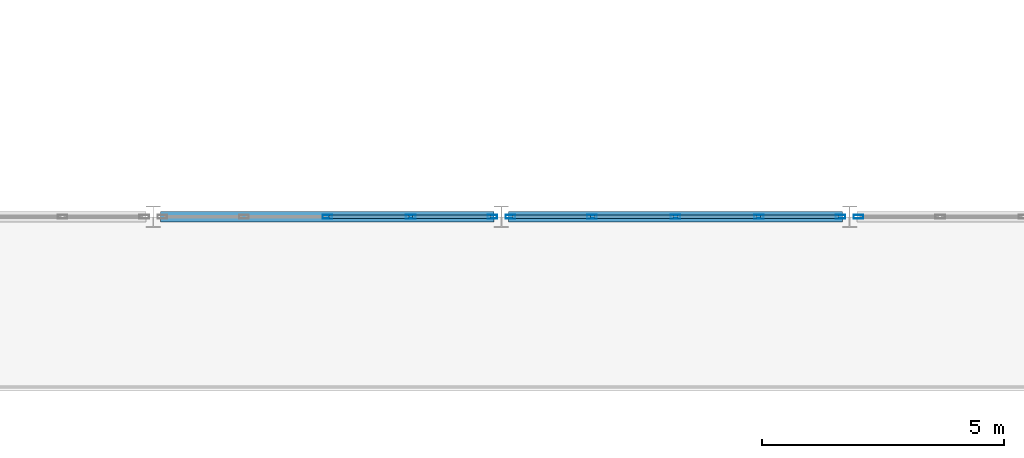
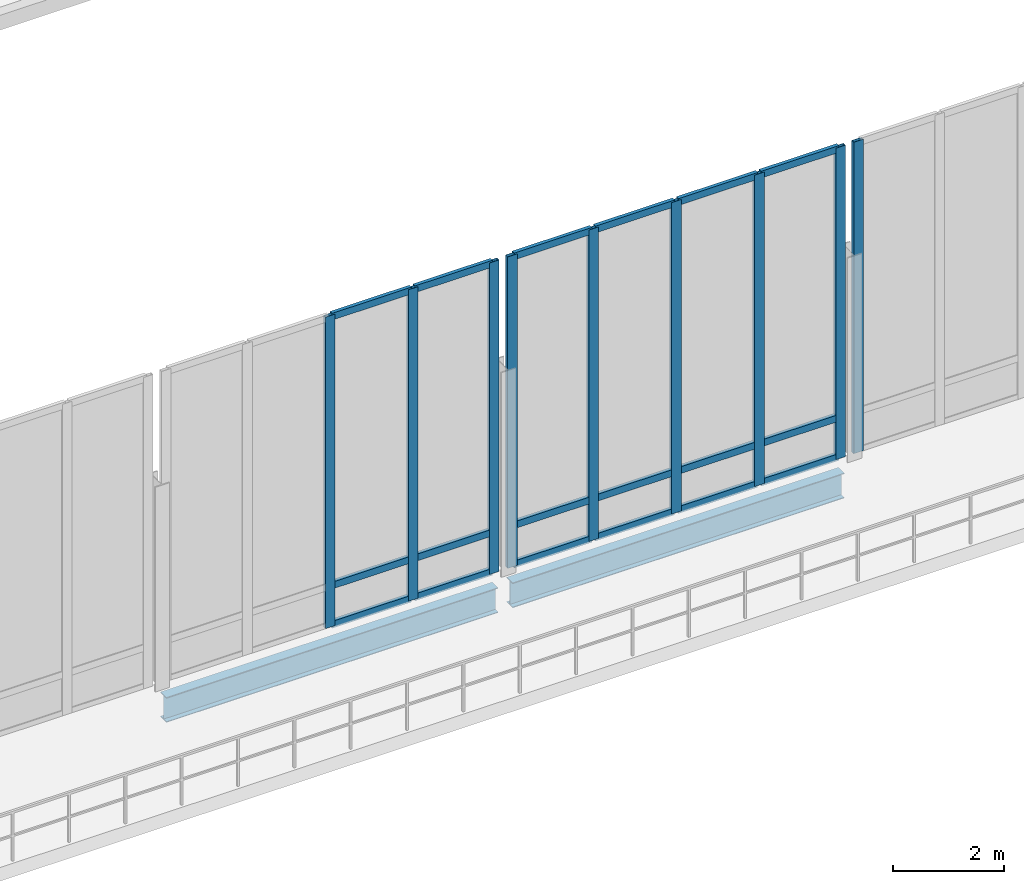
# One storey, part 36 of 110: 27 members, 2 beams, 3 elements without a shape of their own.
"""IFC4 building model written with IfcOpenShell, lengths in metres."""

import ifcopenshell
import ifcopenshell.guid

model = None  # the IFC model being written
_history = None  # IfcOwnerHistory: only IFC2X3 demands one
_inside = {}  # id of a spatial element -> (the spatial element, [elements in it])
_under = {}  # id of a project, library or spatial element -> (it, [spatial elements below it])
_declared = {}  # id of a project -> (the project, [libraries it declares])
_typed = {}  # id of a type object -> (the type object, [elements of that type])
_made_of = {}  # id of a material, layer set ... -> (it, [elements and type objects made of it])


def new_model(schema):
    """Start an empty IFC model of exactly this schema.

    Asked for "IFC4X3", IfcOpenShell would pick the latest addendum, in which some entities
    have other attributes; the version numbers below select the first issue.
    IFC2X3 requires an IfcOwnerHistory on every rooted entity: one is made here for all.
    """
    global model, _history
    if schema == "IFC4X3":
        model = ifcopenshell.file(schema_version=(4, 3, 0, 0))
    else:
        model = ifcopenshell.file(schema=schema)
    _inside.clear()
    _under.clear()
    _declared.clear()
    _typed.clear()
    _made_of.clear()
    _history = None
    if model.schema == "IFC2X3":
        org = make("IfcOrganization", Name="unknown")
        user = make(
            "IfcPersonAndOrganization",
            ThePerson=make("IfcPerson", FamilyName="unknown"),
            TheOrganization=org,
        )
        app = make(
            "IfcApplication",
            ApplicationDeveloper=org,
            Version="unknown",
            ApplicationFullName="unknown",
            ApplicationIdentifier="unknown",
        )
        _history = make(
            "IfcOwnerHistory",
            OwningUser=user,
            OwningApplication=app,
            ChangeAction="ADDED",
            CreationDate=0,
        )
    return model


def make(cls, **values):
    """One entity of the class cls with the attributes given. An attribute that is None is left unset."""
    return model.create_entity(
        cls, **{name: value for name, value in values.items() if value is not None}
    )


def rooted(cls, **values):
    """An entity with a GlobalId (a new one), such as an element, a storey or a relation."""
    return make(cls, GlobalId=ifcopenshell.guid.new(), OwnerHistory=_history, **values)


def si_unit(unit_type, name, prefix=None):
    """IfcSIUnit, for example si_unit("LENGTHUNIT", "METRE", prefix="MILLI")."""
    return make("IfcSIUnit", UnitType=unit_type, Prefix=prefix, Name=name)


def assignment(units):
    """IfcUnitAssignment: the units of a project."""
    return None if units is None else make("IfcUnitAssignment", Units=units)


def point(xyz):
    """IfcCartesianPoint."""
    return None if xyz is None else make("IfcCartesianPoint", Coordinates=xyz)


def direction(xyz):
    """IfcDirection."""
    return None if xyz is None else make("IfcDirection", DirectionRatios=xyz)


def frame(location, z_axis=None, x_axis=None):
    """IfcAxis2Placement3D, a coordinate frame: its origin and axes. An axis left out is left unset."""
    return make(
        "IfcAxis2Placement3D",
        Location=point(location),
        Axis=direction(z_axis),
        RefDirection=direction(x_axis),
    )


def frame_2d(location, x_axis=None):
    """IfcAxis2Placement2D, a coordinate frame in the plane: its origin and x axis."""
    return make(
        "IfcAxis2Placement2D", Location=point(location), RefDirection=direction(x_axis)
    )


def origin():
    """The frame at (0, 0, 0) with its axes left unset."""
    return frame((0.0, 0.0, 0.0))


def origin_2d():
    """The frame at (0, 0) in the plane with its x axis left unset."""
    return frame_2d((0.0, 0.0))


def place(relative_to, where):
    """IfcLocalPlacement: puts the frame where relative to a parent placement (None: the world)."""
    return make(
        "IfcLocalPlacement", PlacementRelTo=relative_to, RelativePlacement=where
    )


def context(
    kind, dimensions, precision=None, world=None, true_north=None, identifier=None
):
    """IfcGeometricRepresentationContext, for example the 3D "Model" context."""
    return make(
        "IfcGeometricRepresentationContext",
        ContextIdentifier=identifier,
        ContextType=kind,
        CoordinateSpaceDimension=dimensions,
        Precision=precision,
        WorldCoordinateSystem=world,
        TrueNorth=true_north,
    )


def subcontext(parent, identifier, kind, view, scale=None):
    """IfcGeometricRepresentationSubContext, for example "Body" below "Model"."""
    return make(
        "IfcGeometricRepresentationSubContext",
        ContextIdentifier=identifier,
        ContextType=kind,
        ParentContext=parent,
        TargetScale=scale,
        TargetView=view,
    )


def project(units=None, contexts=None):
    """IfcProject with its units and contexts."""
    return rooted(
        "IfcProject",
        Name="project",
        RepresentationContexts=contexts,
        UnitsInContext=assignment(units),
    )


def spatial(cls, under=None, at=None, **own):
    """A site, building, storey or space (cls), placed at a placement, below another one or the project."""
    s = rooted(cls, ObjectPlacement=at, **own)
    if under is not None:
        _under.setdefault(under.id(), (under, []))[1].append(s)
    return s


def profile(cls, at=None, kind="AREA", **sizes):
    """A parametric profile (cls). Its sizes go by their IFC names, for example OverallWidth=200.0."""
    return make(cls, ProfileType=kind, Position=at, **sizes)


def hollow_rectangle(**sizes):
    """IfcRectangleHollowProfileDef."""
    return profile("IfcRectangleHollowProfileDef", **sizes)


def i_section(**sizes):
    """IfcIShapeProfileDef."""
    return profile("IfcIShapeProfileDef", **sizes)


def extrude(swept, where, along, depth):
    """IfcExtrudedAreaSolid: the profile swept, set in the frame where, extruded along a direction by depth."""
    return make(
        "IfcExtrudedAreaSolid",
        SweptArea=swept,
        Position=where,
        ExtrudedDirection=direction(along),
        Depth=depth,
    )


def shape(context_of_items, identifier, shape_type, items):
    """IfcShapeRepresentation: the items that make up one representation, for example the "Body"."""
    return make(
        "IfcShapeRepresentation",
        ContextOfItems=context_of_items,
        RepresentationIdentifier=identifier,
        RepresentationType=shape_type,
        Items=items,
    )


def material(Name=None, Category=None):
    """IfcMaterial."""
    return make("IfcMaterial", Name=Name, Category=Category)


def material_profile(
    of_material, cross_section, Name=None, Category=None, Priority=None
):
    """IfcMaterialProfile: a cross section and its material."""
    return make(
        "IfcMaterialProfile",
        Name=Name,
        Material=of_material,
        Profile=cross_section,
        Priority=Priority,
        Category=Category,
    )


def profile_set(profiles, Name=None, composite=None):
    """IfcMaterialProfileSet."""
    return make(
        "IfcMaterialProfileSet",
        Name=Name,
        MaterialProfiles=profiles,
        CompositeProfile=composite,
    )


def made_of(thing, what):
    """Note that an element or type object is made of a material, layer set ...; save() writes the relation."""
    if what is not None:
        _made_of.setdefault(what.id(), (what, []))[1].append(thing)
    return thing


def type_object(cls, material=None, **own):
    """A type object (cls), such as IfcWallType, which elements share."""
    return made_of(rooted(cls, **own), material)


def element(
    cls,
    number,
    at=None,
    inside=None,
    cuts=None,
    type_object=None,
    material=None,
    context=None,
    identifier="Body",
    shape_type=None,
    held_by="IfcProductDefinitionShape",
    body=None,
    shapes=None,
    **own,
):
    """One element of the class cls, such as IfcWall. Its Tag is "e" and its number.

    at: its placement. inside: the storey or other place that contains it. cuts: it is an
    opening in that element (IfcRelVoidsElement). A single representation is given by context,
    identifier, shape_type and body (its items); several are given by shapes. held_by: the class
    of the entity that holds the representations. save() writes the other relations.
    """
    e = rooted(cls, Tag="e%d" % number, ObjectPlacement=at, **own)
    if body is not None:
        shapes = [shape(context, identifier, shape_type, body)]
    if shapes is not None:
        e.Representation = make(held_by, Representations=shapes)
    if inside is not None:
        _inside.setdefault(inside.id(), (inside, []))[1].append(e)
    if cuts is not None:
        rooted(
            "IfcRelVoidsElement", RelatingBuildingElement=cuts, RelatedOpeningElement=e
        )
    if type_object is not None:
        _typed.setdefault(type_object.id(), (type_object, []))[1].append(e)
    return made_of(e, material)


def aggregate(whole, parts):
    """IfcRelAggregates: a whole, such as a stair, and the parts it consists of."""
    return rooted("IfcRelAggregates", RelatingObject=whole, RelatedObjects=parts)


def save(model, path):
    """Write the relations noted so far, then the file.

    IfcRelAggregates (storeys below a building ...), IfcRelContainedInSpatialStructure (elements
    in a storey), IfcRelDefinesByType, IfcRelAssociatesMaterial and IfcRelDeclares: one each for
    every whole, place, type object, material and project.
    """
    for whole, parts in _under.values():
        aggregate(whole, parts)
    for where, things in _inside.values():
        rooted(
            "IfcRelContainedInSpatialStructure",
            RelatedElements=things,
            RelatingStructure=where,
        )
    for kind, things in _typed.values():
        rooted("IfcRelDefinesByType", RelatedObjects=things, RelatingType=kind)
    for what, things in _made_of.values():
        rooted("IfcRelAssociatesMaterial", RelatedObjects=things, RelatingMaterial=what)
    for by, libraries in _declared.values():
        rooted("IfcRelDeclares", RelatingContext=by, RelatedDefinitions=libraries)
    model.write(path)


model = new_model("IFC4")

# Units and contexts
model_context = context("Model", 3, precision=1e-05, world=origin(), true_north=direction((0.0, 1.0)))
body_context = subcontext(model_context, "Body", "Model", "MODEL_VIEW")
ifc_project = project(units=[si_unit("LENGTHUNIT", "METRE"), si_unit("AREAUNIT", "SQUARE_METRE"), si_unit("VOLUMEUNIT", "CUBIC_METRE"), si_unit("PLANEANGLEUNIT", "RADIAN"), si_unit("MASSUNIT", "GRAM", prefix="KILO")], contexts=[model_context])

# Site, building, storey
site_placement = place(None, origin())
site = spatial("IfcSite", under=ifc_project, at=site_placement, CompositionType="ELEMENT")
building_placement = place(site_placement, origin())
building = spatial("IfcBuilding", under=site, at=building_placement, Name="Suanplinth Sawtooth Commons", CompositionType="ELEMENT")
storey_placement = place(building_placement, frame((0.0, 0.0, 4.5)))
storey = spatial("IfcBuildingStorey", under=building, at=storey_placement, Name="L01", CompositionType="ELEMENT", Elevation=4.5)

# Beams
ifc_material_1 = material(Name="Steel S355JR", Category="steel")
ifc_material_profile_1 = material_profile(ifc_material_1, i_section(OverallWidth=0.2099609375, OverallDepth=0.550048828125, WebThickness=0.010986328125, FlangeThickness=0.01708984375, at=origin_2d()), Name="IPE 550")
ifc_profile_set_1 = profile_set([ifc_material_profile_1], Name="Steel S355JR")
beam_type = type_object("IfcBeamType", Name="B-10", PredefinedType="USERDEFINED", material=ifc_profile_set_1)
for number, where, z_axis, x_axis, name in (
    (1, (79.35009765625, 86.39990234375, -0.574951171875), (1.0, 0.0, 0.0), (0.0, 1.0, 0.0), "BMX-L01-HALL-11-12"),
    (2, (86.550048828125, 86.39990234375, -0.574951171875), (1.0, 0.0, 0.0), (0.0, 1.0, 0.0), "BMX-L01-HALL-12-12"),
):
    element("IfcBeam", number, at=place(storey_placement, frame(where, z_axis=z_axis, x_axis=x_axis)), inside=storey, type_object=beam_type, Name=name, ObjectType="GIRDER", PredefinedType="USERDEFINED", context=body_context, shape_type="SweptSolid", body=[
        extrude(i_section(OverallWidth=0.2099609375, OverallDepth=0.550048828125, WebThickness=0.010986328125, FlangeThickness=0.01708984375, at=origin_2d()), origin(), (0.0, 0.0, 1.0), 6.89990234375),
    ])

# Curtain wall, members
ifc_material_2 = material(Name="Anodized aluminium and low-E glazing", Category="aluminium")
curtain_wall_type = type_object("IfcCurtainWallType", Name="CW-01", PredefinedType="USERDEFINED", material=ifc_material_2)
curtain_wall_1_placement = place(storey_placement, origin())
curtain_wall_1 = element("IfcCurtainWall", 3, at=curtain_wall_1_placement, inside=storey, type_object=curtain_wall_type, Name="Curtain Wall CW-L01-HALL-N-2", ObjectType="CURTAIN WALL", PredefinedType="USERDEFINED")
ifc_material_3 = material(Name="Anodized aluminium 6063-T6", Category="aluminium")
ifc_material_profile_2 = material_profile(ifc_material_3, hollow_rectangle(XDim=0.074951171875, YDim=0.199951171875, WallThickness=0.0048828125, at=origin_2d()), Name="ALU-MUL 75x200")
ifc_profile_set_2 = profile_set([ifc_material_profile_2], Name="Anodized aluminium 6063-T6")
member_type_1 = type_object("IfcMemberType", Name="M-14", PredefinedType="MULLION", material=ifc_profile_set_2)
member_1_placement = place(storey_placement, frame((82.800048828125, 86.39990234375, 0.0), z_axis=(0.0, 0.0, 1.0), x_axis=(0.0, 1.0, 0.0)))
member_1 = element("IfcMember", 4, at=member_1_placement, type_object=member_type_1, Name="CW-01 mullion 3", PredefinedType="MULLION", context=body_context, shape_type="SweptSolid", body=[
    extrude(hollow_rectangle(XDim=0.074951171875, YDim=0.199951171875, WallThickness=0.0048828125, at=origin_2d()), origin(), (0.0, 0.0, 1.0), 6.85009765625),
])
member_2_placement = place(storey_placement, frame((84.52490234375, 86.39990234375, 0.0), z_axis=(0.0, 0.0, 1.0), x_axis=(0.0, 1.0, 0.0)))
member_2 = element("IfcMember", 5, at=member_2_placement, type_object=member_type_1, Name="CW-01 mullion 4", PredefinedType="MULLION", context=body_context, shape_type="SweptSolid", body=[
    extrude(hollow_rectangle(XDim=0.074951171875, YDim=0.199951171875, WallThickness=0.0048828125, at=origin_2d()), origin(), (0.0, 0.0, 1.0), 6.85009765625),
])
member_3_placement = place(storey_placement, frame((86.21240234375, 86.39990234375, 0.0), z_axis=(0.0, 0.0, 1.0), x_axis=(0.0, 1.0, 0.0)))
member_3 = element("IfcMember", 6, at=member_3_placement, type_object=member_type_1, Name="CW-01 mullion 5", PredefinedType="MULLION", context=body_context, shape_type="SweptSolid", body=[
    extrude(hollow_rectangle(XDim=0.074951171875, YDim=0.199951171875, WallThickness=0.0048828125, at=origin_2d()), origin(), (0.0, 0.0, 1.0), 6.85009765625),
])

curtain_wall_2_placement = place(storey_placement, origin())
curtain_wall_2 = element("IfcCurtainWall", 7, at=curtain_wall_2_placement, inside=storey, type_object=curtain_wall_type, Name="Curtain Wall CW-L01-HALL-N-3", ObjectType="CURTAIN WALL", PredefinedType="USERDEFINED")
member_4_placement = place(storey_placement, frame((86.58740234375, 86.39990234375, 0.0), z_axis=(0.0, 0.0, 1.0), x_axis=(0.0, 1.0, 0.0)))
member_4 = element("IfcMember", 8, at=member_4_placement, type_object=member_type_1, Name="CW-01 mullion 1", PredefinedType="MULLION", context=body_context, shape_type="SweptSolid", body=[
    extrude(hollow_rectangle(XDim=0.074951171875, YDim=0.199951171875, WallThickness=0.0048828125, at=origin_2d()), origin(), (0.0, 0.0, 1.0), 6.85009765625),
])
member_5_placement = place(storey_placement, frame((88.27490234375, 86.39990234375, 0.0), z_axis=(0.0, 0.0, 1.0), x_axis=(0.0, 1.0, 0.0)))
member_5 = element("IfcMember", 9, at=member_5_placement, type_object=member_type_1, Name="CW-01 mullion 2", PredefinedType="MULLION", context=body_context, shape_type="SweptSolid", body=[
    extrude(hollow_rectangle(XDim=0.074951171875, YDim=0.199951171875, WallThickness=0.0048828125, at=origin_2d()), origin(), (0.0, 0.0, 1.0), 6.85009765625),
])
member_6_placement = place(storey_placement, frame((90.0, 86.39990234375, 0.0), z_axis=(0.0, 0.0, 1.0), x_axis=(0.0, 1.0, 0.0)))
member_6 = element("IfcMember", 10, at=member_6_placement, type_object=member_type_1, Name="CW-01 mullion 3", PredefinedType="MULLION", context=body_context, shape_type="SweptSolid", body=[
    extrude(hollow_rectangle(XDim=0.074951171875, YDim=0.199951171875, WallThickness=0.0048828125, at=origin_2d()), origin(), (0.0, 0.0, 1.0), 6.85009765625),
])
member_7_placement = place(storey_placement, frame((91.72509765625, 86.39990234375, 0.0), z_axis=(0.0, 0.0, 1.0), x_axis=(0.0, 1.0, 0.0)))
member_7 = element("IfcMember", 11, at=member_7_placement, type_object=member_type_1, Name="CW-01 mullion 4", PredefinedType="MULLION", context=body_context, shape_type="SweptSolid", body=[
    extrude(hollow_rectangle(XDim=0.074951171875, YDim=0.199951171875, WallThickness=0.0048828125, at=origin_2d()), origin(), (0.0, 0.0, 1.0), 6.85009765625),
])
member_8_placement = place(storey_placement, frame((93.41259765625, 86.39990234375, 0.0), z_axis=(0.0, 0.0, 1.0), x_axis=(0.0, 1.0, 0.0)))
member_8 = element("IfcMember", 12, at=member_8_placement, type_object=member_type_1, Name="CW-01 mullion 5", PredefinedType="MULLION", context=body_context, shape_type="SweptSolid", body=[
    extrude(hollow_rectangle(XDim=0.074951171875, YDim=0.199951171875, WallThickness=0.0048828125, at=origin_2d()), origin(), (0.0, 0.0, 1.0), 6.85009765625),
])

# Curtain wall, member
curtain_wall_3_placement = place(storey_placement, origin())
curtain_wall_3 = element("IfcCurtainWall", 13, at=curtain_wall_3_placement, inside=storey, type_object=curtain_wall_type, Name="Curtain Wall CW-L01-HALL-N-4", ObjectType="CURTAIN WALL", PredefinedType="USERDEFINED")
member_9_placement = place(storey_placement, frame((93.78759765625, 86.39990234375, 0.0), z_axis=(0.0, 0.0, 1.0), x_axis=(0.0, 1.0, 0.0)))
member_9 = element("IfcMember", 14, at=member_9_placement, type_object=member_type_1, Name="CW-01 mullion 1", PredefinedType="MULLION", context=body_context, shape_type="SweptSolid", body=[
    extrude(hollow_rectangle(XDim=0.074951171875, YDim=0.199951171875, WallThickness=0.0048828125, at=origin_2d()), origin(), (0.0, 0.0, 1.0), 6.85009765625),
])
aggregate(curtain_wall_3, [member_9])

# Member
ifc_material_profile_3 = material_profile(ifc_material_3, hollow_rectangle(XDim=0.074951171875, YDim=0.14990234375, WallThickness=0.00439453125, at=origin_2d()), Name="ALU-TRN 75x150")
ifc_profile_set_3 = profile_set([ifc_material_profile_3], Name="Anodized aluminium 6063-T6")
member_type_2 = type_object("IfcMemberType", Name="M-16", PredefinedType="USERDEFINED", material=ifc_profile_set_3)
member_10_placement = place(storey_placement, frame((82.83740234375, 86.39990234375, 0.03759765625), z_axis=(1.0, 0.0, 0.0), x_axis=(0.0, 1.0, 0.0)))
member_10 = element("IfcMember", 15, at=member_10_placement, type_object=member_type_2, Name="CW-01 transom 3.1", ObjectType="TRANSOM", PredefinedType="USERDEFINED", context=body_context, shape_type="SweptSolid", body=[
    extrude(hollow_rectangle(XDim=0.074951171875, YDim=0.14990234375, WallThickness=0.00439453125, at=origin_2d()), origin(), (0.0, 0.0, 1.0), 1.650146484375),
])

member_11_placement = place(storey_placement, frame((82.83740234375, 86.39990234375, 0.89990234375), z_axis=(1.0, 0.0, 0.0), x_axis=(0.0, 1.0, 0.0)))
member_11 = element("IfcMember", 16, at=member_11_placement, type_object=member_type_2, Name="CW-01 transom 3.2", ObjectType="TRANSOM", PredefinedType="USERDEFINED", context=body_context, shape_type="SweptSolid", body=[
    extrude(hollow_rectangle(XDim=0.074951171875, YDim=0.14990234375, WallThickness=0.00439453125, at=origin_2d()), origin(), (0.0, 0.0, 1.0), 1.650146484375),
])

member_12_placement = place(storey_placement, frame((82.83740234375, 86.39990234375, 6.8125), z_axis=(1.0, 0.0, 0.0), x_axis=(0.0, 1.0, 0.0)))
member_12 = element("IfcMember", 17, at=member_12_placement, type_object=member_type_2, Name="CW-01 transom 3.3", ObjectType="TRANSOM", PredefinedType="USERDEFINED", context=body_context, shape_type="SweptSolid", body=[
    extrude(hollow_rectangle(XDim=0.074951171875, YDim=0.14990234375, WallThickness=0.00439453125, at=origin_2d()), origin(), (0.0, 0.0, 1.0), 1.650146484375),
])

member_13_placement = place(storey_placement, frame((84.5625, 86.39990234375, 0.03759765625), z_axis=(1.0, 0.0, 0.0), x_axis=(0.0, 1.0, 0.0)))
member_13 = element("IfcMember", 18, at=member_13_placement, type_object=member_type_2, Name="CW-01 transom 4.1", ObjectType="TRANSOM", PredefinedType="USERDEFINED", context=body_context, shape_type="SweptSolid", body=[
    extrude(hollow_rectangle(XDim=0.074951171875, YDim=0.14990234375, WallThickness=0.00439453125, at=origin_2d()), origin(), (0.0, 0.0, 1.0), 1.612548828125),
])

member_14_placement = place(storey_placement, frame((84.5625, 86.39990234375, 0.89990234375), z_axis=(1.0, 0.0, 0.0), x_axis=(0.0, 1.0, 0.0)))
member_14 = element("IfcMember", 19, at=member_14_placement, type_object=member_type_2, Name="CW-01 transom 4.2", ObjectType="TRANSOM", PredefinedType="USERDEFINED", context=body_context, shape_type="SweptSolid", body=[
    extrude(hollow_rectangle(XDim=0.074951171875, YDim=0.14990234375, WallThickness=0.00439453125, at=origin_2d()), origin(), (0.0, 0.0, 1.0), 1.612548828125),
])

member_15_placement = place(storey_placement, frame((84.5625, 86.39990234375, 6.8125), z_axis=(1.0, 0.0, 0.0), x_axis=(0.0, 1.0, 0.0)))
member_15 = element("IfcMember", 20, at=member_15_placement, type_object=member_type_2, Name="CW-01 transom 4.3", ObjectType="TRANSOM", PredefinedType="USERDEFINED", context=body_context, shape_type="SweptSolid", body=[
    extrude(hollow_rectangle(XDim=0.074951171875, YDim=0.14990234375, WallThickness=0.00439453125, at=origin_2d()), origin(), (0.0, 0.0, 1.0), 1.612548828125),
])

aggregate(curtain_wall_1, [member_1, member_2, member_3, member_10, member_11, member_12, member_13, member_14, member_15])

member_16_placement = place(storey_placement, frame((86.625, 86.39990234375, 0.03759765625), z_axis=(1.0, 0.0, 0.0), x_axis=(0.0, 1.0, 0.0)))
member_16 = element("IfcMember", 21, at=member_16_placement, type_object=member_type_2, Name="CW-01 transom 1.1", ObjectType="TRANSOM", PredefinedType="USERDEFINED", context=body_context, shape_type="SweptSolid", body=[
    extrude(hollow_rectangle(XDim=0.074951171875, YDim=0.14990234375, WallThickness=0.00439453125, at=origin_2d()), origin(), (0.0, 0.0, 1.0), 1.612548828125),
])

member_17_placement = place(storey_placement, frame((86.625, 86.39990234375, 0.89990234375), z_axis=(1.0, 0.0, 0.0), x_axis=(0.0, 1.0, 0.0)))
member_17 = element("IfcMember", 22, at=member_17_placement, type_object=member_type_2, Name="CW-01 transom 1.2", ObjectType="TRANSOM", PredefinedType="USERDEFINED", context=body_context, shape_type="SweptSolid", body=[
    extrude(hollow_rectangle(XDim=0.074951171875, YDim=0.14990234375, WallThickness=0.00439453125, at=origin_2d()), origin(), (0.0, 0.0, 1.0), 1.612548828125),
])

member_18_placement = place(storey_placement, frame((86.625, 86.39990234375, 6.8125), z_axis=(1.0, 0.0, 0.0), x_axis=(0.0, 1.0, 0.0)))
member_18 = element("IfcMember", 23, at=member_18_placement, type_object=member_type_2, Name="CW-01 transom 1.3", ObjectType="TRANSOM", PredefinedType="USERDEFINED", context=body_context, shape_type="SweptSolid", body=[
    extrude(hollow_rectangle(XDim=0.074951171875, YDim=0.14990234375, WallThickness=0.00439453125, at=origin_2d()), origin(), (0.0, 0.0, 1.0), 1.612548828125),
])

member_19_placement = place(storey_placement, frame((88.3125, 86.39990234375, 0.03759765625), z_axis=(1.0, 0.0, 0.0), x_axis=(0.0, 1.0, 0.0)))
member_19 = element("IfcMember", 24, at=member_19_placement, type_object=member_type_2, Name="CW-01 transom 2.1", ObjectType="TRANSOM", PredefinedType="USERDEFINED", context=body_context, shape_type="SweptSolid", body=[
    extrude(hollow_rectangle(XDim=0.074951171875, YDim=0.14990234375, WallThickness=0.00439453125, at=origin_2d()), origin(), (0.0, 0.0, 1.0), 1.64990234375),
])

member_20_placement = place(storey_placement, frame((88.3125, 86.39990234375, 0.89990234375), z_axis=(1.0, 0.0, 0.0), x_axis=(0.0, 1.0, 0.0)))
member_20 = element("IfcMember", 25, at=member_20_placement, type_object=member_type_2, Name="CW-01 transom 2.2", ObjectType="TRANSOM", PredefinedType="USERDEFINED", context=body_context, shape_type="SweptSolid", body=[
    extrude(hollow_rectangle(XDim=0.074951171875, YDim=0.14990234375, WallThickness=0.00439453125, at=origin_2d()), origin(), (0.0, 0.0, 1.0), 1.64990234375),
])

member_21_placement = place(storey_placement, frame((88.3125, 86.39990234375, 6.8125), z_axis=(1.0, 0.0, 0.0), x_axis=(0.0, 1.0, 0.0)))
member_21 = element("IfcMember", 26, at=member_21_placement, type_object=member_type_2, Name="CW-01 transom 2.3", ObjectType="TRANSOM", PredefinedType="USERDEFINED", context=body_context, shape_type="SweptSolid", body=[
    extrude(hollow_rectangle(XDim=0.074951171875, YDim=0.14990234375, WallThickness=0.00439453125, at=origin_2d()), origin(), (0.0, 0.0, 1.0), 1.64990234375),
])

member_22_placement = place(storey_placement, frame((90.03759765625, 86.39990234375, 0.03759765625), z_axis=(1.0, 0.0, 0.0), x_axis=(0.0, 1.0, 0.0)))
member_22 = element("IfcMember", 27, at=member_22_placement, type_object=member_type_2, Name="CW-01 transom 3.1", ObjectType="TRANSOM", PredefinedType="USERDEFINED", context=body_context, shape_type="SweptSolid", body=[
    extrude(hollow_rectangle(XDim=0.074951171875, YDim=0.14990234375, WallThickness=0.00439453125, at=origin_2d()), origin(), (0.0, 0.0, 1.0), 1.64990234375),
])

member_23_placement = place(storey_placement, frame((90.03759765625, 86.39990234375, 0.89990234375), z_axis=(1.0, 0.0, 0.0), x_axis=(0.0, 1.0, 0.0)))
member_23 = element("IfcMember", 28, at=member_23_placement, type_object=member_type_2, Name="CW-01 transom 3.2", ObjectType="TRANSOM", PredefinedType="USERDEFINED", context=body_context, shape_type="SweptSolid", body=[
    extrude(hollow_rectangle(XDim=0.074951171875, YDim=0.14990234375, WallThickness=0.00439453125, at=origin_2d()), origin(), (0.0, 0.0, 1.0), 1.64990234375),
])

member_24_placement = place(storey_placement, frame((90.03759765625, 86.39990234375, 6.8125), z_axis=(1.0, 0.0, 0.0), x_axis=(0.0, 1.0, 0.0)))
member_24 = element("IfcMember", 29, at=member_24_placement, type_object=member_type_2, Name="CW-01 transom 3.3", ObjectType="TRANSOM", PredefinedType="USERDEFINED", context=body_context, shape_type="SweptSolid", body=[
    extrude(hollow_rectangle(XDim=0.074951171875, YDim=0.14990234375, WallThickness=0.00439453125, at=origin_2d()), origin(), (0.0, 0.0, 1.0), 1.64990234375),
])

member_25_placement = place(storey_placement, frame((91.762451171875, 86.39990234375, 0.03759765625), z_axis=(1.0, 0.0, 0.0), x_axis=(0.0, 1.0, 0.0)))
member_25 = element("IfcMember", 30, at=member_25_placement, type_object=member_type_2, Name="CW-01 transom 4.1", ObjectType="TRANSOM", PredefinedType="USERDEFINED", context=body_context, shape_type="SweptSolid", body=[
    extrude(hollow_rectangle(XDim=0.074951171875, YDim=0.14990234375, WallThickness=0.00439453125, at=origin_2d()), origin(), (0.0, 0.0, 1.0), 1.612548828125),
])

member_26_placement = place(storey_placement, frame((91.762451171875, 86.39990234375, 0.89990234375), z_axis=(1.0, 0.0, 0.0), x_axis=(0.0, 1.0, 0.0)))
member_26 = element("IfcMember", 31, at=member_26_placement, type_object=member_type_2, Name="CW-01 transom 4.2", ObjectType="TRANSOM", PredefinedType="USERDEFINED", context=body_context, shape_type="SweptSolid", body=[
    extrude(hollow_rectangle(XDim=0.074951171875, YDim=0.14990234375, WallThickness=0.00439453125, at=origin_2d()), origin(), (0.0, 0.0, 1.0), 1.612548828125),
])

member_27_placement = place(storey_placement, frame((91.762451171875, 86.39990234375, 6.8125), z_axis=(1.0, 0.0, 0.0), x_axis=(0.0, 1.0, 0.0)))
member_27 = element("IfcMember", 32, at=member_27_placement, type_object=member_type_2, Name="CW-01 transom 4.3", ObjectType="TRANSOM", PredefinedType="USERDEFINED", context=body_context, shape_type="SweptSolid", body=[
    extrude(hollow_rectangle(XDim=0.074951171875, YDim=0.14990234375, WallThickness=0.00439453125, at=origin_2d()), origin(), (0.0, 0.0, 1.0), 1.612548828125),
])

aggregate(curtain_wall_2, [member_4, member_5, member_6, member_7, member_8, member_16, member_17, member_18, member_19, member_20, member_21, member_22, member_23, member_24, member_25, member_26, member_27])

save(model, "model.ifc")
